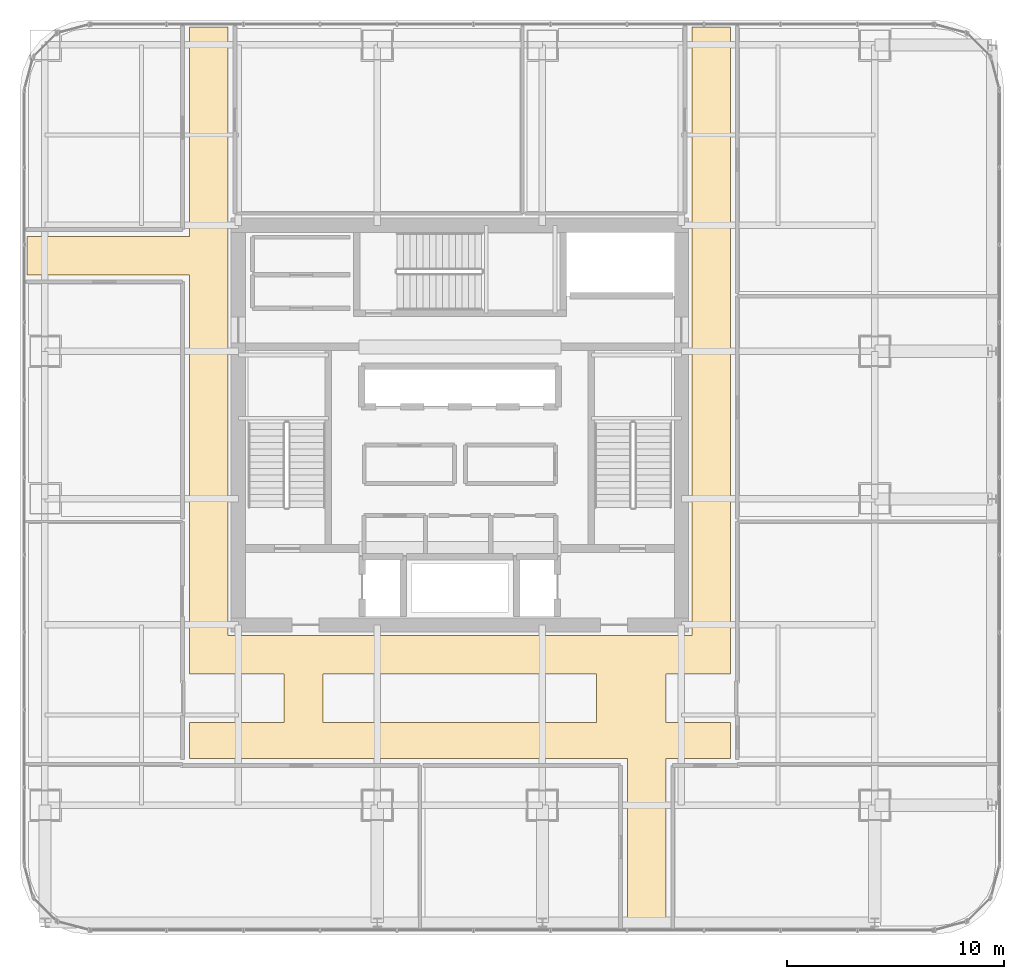
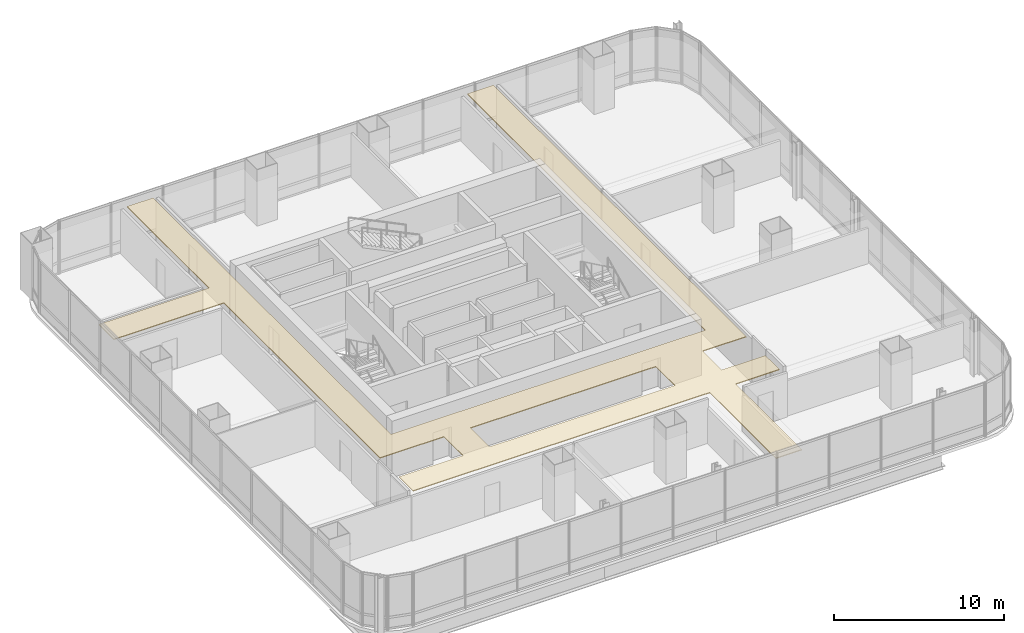
# One storey, part 34 of 36: 1 covering.
"""IFC4 building model written with IfcOpenShell, lengths in metres."""

from ifc_helpers import new_model, si_unit, direction, frame, origin, place, context, subcontext, project, spatial, polyline, outline, extrude, material, layer, layer_set, type_object, element, save


model = new_model("IFC4")

# Units and contexts
model_context = context("Model", 3, precision=1e-05, world=origin(), true_north=direction((0.0, 1.0)))
body_context = subcontext(model_context, "Body", "Model", "MODEL_VIEW")
ifc_project = project(units=[si_unit("LENGTHUNIT", "METRE"), si_unit("AREAUNIT", "SQUARE_METRE"), si_unit("VOLUMEUNIT", "CUBIC_METRE"), si_unit("PLANEANGLEUNIT", "RADIAN"), si_unit("MASSUNIT", "GRAM", prefix="KILO")], contexts=[model_context])

# Site, building, storey
site_placement = place(None, origin())
site = spatial("IfcSite", under=ifc_project, at=site_placement, CompositionType="ELEMENT")
building_placement = place(site_placement, origin())
building = spatial("IfcBuilding", under=site, at=building_placement, Name="Punatoya Terracotta Tower", CompositionType="ELEMENT")
storey_placement = place(building_placement, frame((0.0, 0.0, 208.64990234375)))
storey = spatial("IfcBuildingStorey", under=building, at=storey_placement, Name="L49", CompositionType="ELEMENT", Elevation=208.64990234375)

# Covering
ifc_material = material(Name="Acoustic Mineral Fibre Ceiling")
ifc_layer = layer(ifc_material, 0.06005859375)
ifc_layer_set = layer_set([ifc_layer], Name="Acoustic Mineral Fibre Ceiling")
covering_type = type_object("IfcCoveringType", Name="COV-CEIL-60", PredefinedType="CEILING", material=ifc_layer_set)
covering_placement = place(storey_placement, frame((0.0, 0.0, 3.22021484375)))
element("IfcCovering", 1, at=covering_placement, inside=storey, type_object=covering_type, Name="L49 Central Spine Circulation Corridor Acoustic Ceiling", PredefinedType="CEILING", context=body_context, shape_type="SweptSolid", body=[
    extrude(outline(polyline([(9.47998046875, -15.35009765625), (12.449951171875, -15.35009765625), (12.449951171875, -13.699951171875), (9.47998046875, -13.699951171875), (9.47998046875, -11.449951171875), (12.449951171875, -11.449951171875), (12.449951171875, 18.330078125), (10.679931640625, 18.330078125), (10.679931640625, -9.679931640625), (-10.679931640625, -9.679931640625), (-10.679931640625, 18.330078125), (-12.449951171875, 18.330078125), (-12.449951171875, 8.679931640625), (-19.929931640625, 8.679931640625), (-19.929931640625, 6.919921875), (-12.449951171875, 6.919921875), (-12.449951171875, -11.449951171875), (-8.10009765625, -11.449951171875), (-8.10009765625, -13.699951171875), (-12.449951171875, -13.699951171875), (-12.449951171875, -15.35009765625), (7.719970703125, -15.35009765625), (7.719970703125, -23.1298828125), (9.47998046875, -23.1298828125), (9.47998046875, -15.35009765625)]), holes=[polyline([(6.300048828125, -13.699951171875), (-6.300048828125, -13.699951171875), (-6.300048828125, -11.449951171875), (6.300048828125, -11.449951171875), (6.300048828125, -13.699951171875)])]), origin(), (0.0, 0.0, 1.0), 0.059814453125),
])

save(model, "model.ifc")
